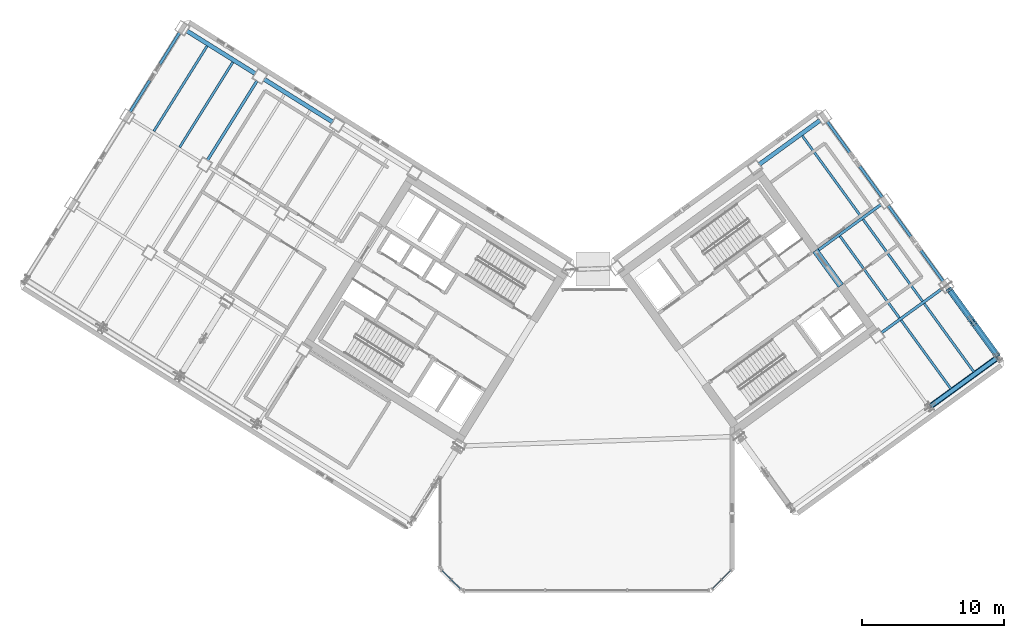
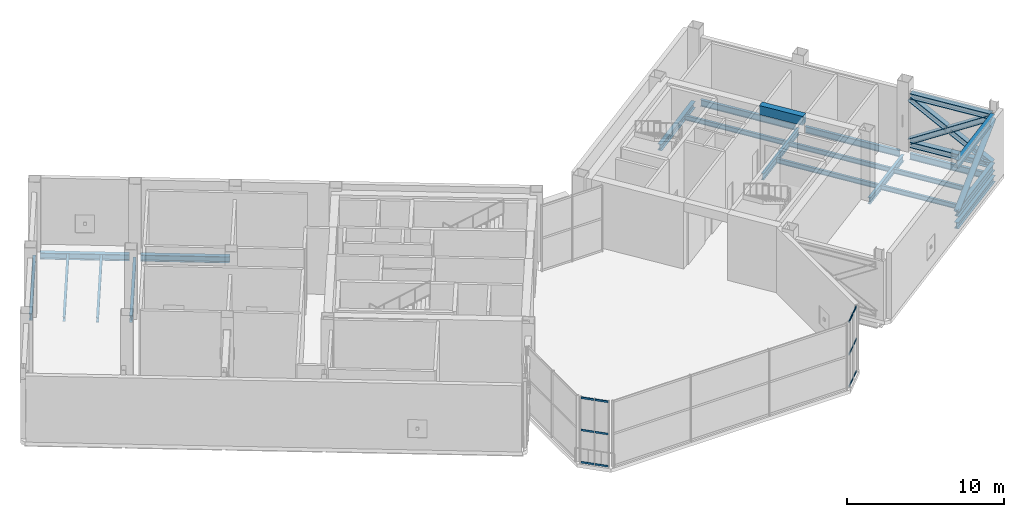
# One storey, part 13 of 30: 20 members, 19 beams, 2 elements without a shape of their own.
"""IFC4 building model written with IfcOpenShell, lengths in metres."""

from ifc_helpers import new_model, si_unit, direction, frame, origin, origin_2d, place, context, subcontext, project, spatial, rectangle, hollow_rectangle, hollow_circle, i_section, extrude, source, transform, mapped, material, material_profile, profile_set, type_object, element, aggregate, save


model = new_model("IFC4")

# Units and contexts
model_context = context("Model", 3, precision=1e-05, world=origin(), true_north=direction((0.0, 1.0)))
body_context = subcontext(model_context, "Body", "Model", "MODEL_VIEW")
ifc_project = project(units=[si_unit("LENGTHUNIT", "METRE"), si_unit("AREAUNIT", "SQUARE_METRE"), si_unit("VOLUMEUNIT", "CUBIC_METRE"), si_unit("PLANEANGLEUNIT", "RADIAN"), si_unit("MASSUNIT", "GRAM", prefix="KILO")], contexts=[model_context])

# Site, building, storey
site_placement = place(None, origin())
site = spatial("IfcSite", under=ifc_project, at=site_placement, CompositionType="ELEMENT")
building_placement = place(site_placement, origin())
building = spatial("IfcBuilding", under=site, at=building_placement, Name="Tlacorven Tower", CompositionType="ELEMENT")
storey_placement = place(building_placement, frame((0.0, 0.0, 169.5)))
storey = spatial("IfcBuildingStorey", under=building, at=storey_placement, Name="L43", CompositionType="ELEMENT", Elevation=169.5)

# Beams
ifc_material_1 = material(Name="Concrete C60/75", Category="concrete")
ifc_material_profile_1 = material_profile(ifc_material_1, rectangle(XDim=0.449951171875, YDim=0.699951171875, at=origin_2d()), Name="RC 450X700")
ifc_profile_set_1 = profile_set([ifc_material_profile_1], Name="Concrete C60/75")
beam_type_1 = type_object("IfcBeamType", Name="BM-LNT-700", PredefinedType="LINTEL", material=ifc_profile_set_1)
shared_shape_1 = source(origin(), body_context, "Body", "SweptSolid", [
    extrude(rectangle(XDim=0.449951171875, YDim=0.699951171875, at=origin_2d()), origin(), (0.0, 0.0, 1.0), 3.050048828125),
])
beam_1_placement = place(storey_placement, frame((59.856689453125, 23.345947265625, 4.800048828125), z_axis=(-0.587776590479, 0.80902328748, 0.0), x_axis=(-0.80902328748, -0.587776590479, 0.0)))
element("IfcBeam", 1, at=beam_1_placement, inside=storey, type_object=beam_type_1, Name="L43 E core coupling lintel beam E2", PredefinedType="LINTEL", context=body_context, shape_type="MappedRepresentation", body=[
    mapped(shared_shape_1, transform((0.0, 0.0, 0.0), scale=1.0)),
])
ifc_material_2 = material(Name="Steel S355J2", Category="steel")
ifc_material_profile_2 = material_profile(ifc_material_2, i_section(OverallWidth=0.300048828125, OverallDepth=0.489990234375, WebThickness=0.011962890625, FlangeThickness=0.02294921875, at=origin_2d()), Name="HEA 500")
ifc_profile_set_2 = profile_set([ifc_material_profile_2], Name="Steel S355J2")
beam_type_2 = type_object("IfcBeamType", Name="BM-SPN-500", PredefinedType="SPANDREL", material=ifc_profile_set_2)
shared_shape_2 = source(origin(), body_context, "Body", "SweptSolid", [
    extrude(i_section(OverallWidth=0.300048828125, OverallDepth=0.489990234375, WebThickness=0.011962890625, FlangeThickness=0.02294921875, at=origin_2d()), origin(), (0.0, 0.0, 1.0), 5.800048828125),
])
beam_2_placement = place(storey_placement, frame((66.138671875, 14.86962890625, -0.52490234375), z_axis=(0.809019944521, 0.587781191743, 0.0), x_axis=(-0.587781191743, 0.809019944521, 0.0)))
element("IfcBeam", 2, at=beam_2_placement, inside=storey, type_object=beam_type_2, Name="L43 beam BM-L43-EL1-3", PredefinedType="SPANDREL", context=body_context, shape_type="MappedRepresentation", body=[
    mapped(shared_shape_2, transform((0.0, 0.0, 0.0), scale=1.0)),
])

# Members
ifc_material_3 = material(Name="Steel S460M", Category="steel")
ifc_material_profile_3 = material_profile(ifc_material_3, i_section(OverallWidth=0.406005859375, OverallDepth=0.416015625, WebThickness=0.02099609375, FlangeThickness=0.032958984375, at=origin_2d()), Name="HD 400X382")
ifc_profile_set_3 = profile_set([ifc_material_profile_3], Name="Steel S460M")
member_type_1 = type_object("IfcMemberType", Name="MB-OUT-DIA", PredefinedType="BRACE", material=ifc_profile_set_3)
shared_shape_3 = source(origin(), body_context, "Body", "SweptSolid", [
    extrude(i_section(OverallWidth=0.406005859375, OverallDepth=0.416015625, WebThickness=0.02099609375, FlangeThickness=0.032958984375, at=origin_2d()), origin(), (0.0, 0.0, 1.0), 3.24560546875),
])
member_1_placement = place(storey_placement, frame((69.2001953125, 20.693603515625, 2.2255859375), z_axis=(0.501862263089, -0.690737584225, -0.520591834958), x_axis=(0.809010292828, 0.58779447607, 0.0)))
element("IfcMember", 3, at=member_1_placement, inside=storey, type_object=member_type_1, Name="L43 Outrigger Truss Split Diagonal E2-2B", PredefinedType="BRACE", context=body_context, shape_type="MappedRepresentation", body=[
    mapped(shared_shape_3, transform((0.0, 0.0, 0.0), scale=1.0)),
])
ifc_material_profile_4 = material_profile(ifc_material_3, i_section(OverallWidth=0.300048828125, OverallDepth=0.60009765625, WebThickness=0.015380859375, FlangeThickness=0.030029296875, at=origin_2d()), Name="HEB 600")
ifc_profile_set_4 = profile_set([ifc_material_profile_4], Name="Steel S460M")
member_type_2 = type_object("IfcMemberType", Name="MB-BLT-CHD", PredefinedType="CHORD", material=ifc_profile_set_4)
shared_shape_4 = source(origin(), body_context, "Body", "SweptSolid", [
    extrude(i_section(OverallWidth=0.300048828125, OverallDepth=0.60009765625, WebThickness=0.015380859375, FlangeThickness=0.030029296875, at=origin_2d()), origin(), (0.0, 0.0, 1.0), 5.669921875),
])
for number, where, z_axis, x_axis, name in (
    (4, (66.19140625, 14.907958984375, 0.449951171875), (0.809017149141, 0.587785039275, 0.0), (-0.587785039275, 0.809017149141, 0.0), "L43 Belt Truss Chord E1-B"),
    (5, (66.19140625, 14.907958984375, 4.22998046875), (0.809017149141, 0.587785039275, 0.0), (-0.587785039275, 0.809017149141, 0.0), "L43 Belt Truss Chord E1-T"),
):
    element("IfcMember", number, at=place(storey_placement, frame(where, z_axis=z_axis, x_axis=x_axis)), inside=storey, type_object=member_type_2, Name=name, PredefinedType="CHORD", context=body_context, shape_type="MappedRepresentation", body=[
        mapped(shared_shape_4, transform((0.0, 0.0, 0.0), scale=1.0)),
    ])
ifc_material_profile_5 = material_profile(ifc_material_3, hollow_circle(Radius=0.203125, WallThickness=0.02001953125, at=origin_2d()), Name="CHS 406.4X20")
ifc_profile_set_5 = profile_set([ifc_material_profile_5], Name="Steel S460M")
member_type_3 = type_object("IfcMemberType", Name="MB-BLT-DIA", PredefinedType="BRACE", material=ifc_profile_set_5)
shared_shape_5 = source(origin(), body_context, "Body", "SweptSolid", [
    extrude(hollow_circle(Radius=0.203125, WallThickness=0.02001953125, at=origin_2d()), origin(), (0.0, 0.0, 1.0), 6.721435546875),
])
member_2_placement = place(storey_placement, frame((66.1845703125, 14.90283203125, 0.548583984375), z_axis=(0.684499051971, 0.497328788516, 0.533033886319), x_axis=(-0.587793851887, 0.809010746334, 0.0)))
element("IfcMember", 6, at=member_2_placement, inside=storey, type_object=member_type_3, Name="L43 Belt Truss Diagonal E1-1", PredefinedType="BRACE", context=body_context, shape_type="MappedRepresentation", body=[
    mapped(shared_shape_5, transform((0.0, 0.0, 0.0), scale=1.0)),
])

# Beams
shared_shape_6 = source(origin(), body_context, "Body", "SweptSolid", [
    extrude(i_section(OverallWidth=0.300048828125, OverallDepth=0.489990234375, WebThickness=0.011962890625, FlangeThickness=0.02294921875, at=origin_2d()), origin(), (0.0, 0.0, 1.0), 5.7001953125),
])
for number, where, z_axis, x_axis, name in (
    (7, (24.20361328125, 34.828369140625, -0.52490234375), (-0.848056048787, 0.529906537151, 0.0), (-0.529906537151, -0.848056048787, 0.0), "L43 beam BM-L43-WL1-4"),
    (8, (18.776123046875, 38.2197265625, -0.52490234375), (-0.848056048787, 0.529906537151, 0.0), (-0.529906537151, -0.848056048787, 0.0), "L43 beam BM-L43-WL1-5"),
):
    element("IfcBeam", number, at=place(storey_placement, frame(where, z_axis=z_axis, x_axis=x_axis)), inside=storey, type_object=beam_type_2, Name=name, PredefinedType="SPANDREL", context=body_context, shape_type="MappedRepresentation", body=[
        mapped(shared_shape_6, transform((0.0, 0.0, 0.0), scale=1.0)),
    ])
ifc_material_profile_6 = material_profile(ifc_material_2, i_section(OverallWidth=0.199951171875, OverallDepth=0.5, WebThickness=0.01025390625, FlangeThickness=0.01611328125, at=origin_2d()), Name="IPE 500")
ifc_profile_set_6 = profile_set([ifc_material_profile_6], Name="Steel S355J2")
beam_type_3 = type_object("IfcBeamType", Name="BM-TWR-500", PredefinedType="BEAM", material=ifc_profile_set_6)
shared_shape_7 = source(origin(), body_context, "Body", "SweptSolid", [
    extrude(i_section(OverallWidth=0.199951171875, OverallDepth=0.5, WebThickness=0.01025390625, FlangeThickness=0.01611328125, at=origin_2d()), origin(), (0.0, 0.0, 1.0), 5.75),
])
beam_3_placement = place(storey_placement, frame((70.853271484375, 18.41845703125, -0.530029296875), z_axis=(-0.587797998499, 0.80900773356, 0.0), x_axis=(-0.80900773356, -0.587797998499, 0.0)))
element("IfcBeam", 9, at=beam_3_placement, inside=storey, type_object=beam_type_3, Name="L43 beam BM-L43-ET4-1", PredefinedType="BEAM", context=body_context, shape_type="MappedRepresentation", body=[
    mapped(shared_shape_7, transform((0.0, 0.0, 0.0), scale=1.0)),
])
shared_shape_8 = source(origin(), body_context, "Body", "SweptSolid", [
    extrude(i_section(OverallWidth=0.199951171875, OverallDepth=0.5, WebThickness=0.01025390625, FlangeThickness=0.01611328125, at=origin_2d()), origin(), (0.0, 0.0, 1.0), 6.599853515625),
])
beam_4_placement = place(storey_placement, frame((13.4599609375, 41.12890625, -0.530029296875), z_axis=(-0.529942412256, -0.848033631227, 0.0), x_axis=(0.848033631227, -0.529942412256, 0.0)))
element("IfcBeam", 10, at=beam_4_placement, inside=storey, type_object=beam_type_3, Name="L43 beam BM-L43-WT6-1", PredefinedType="BEAM", context=body_context, shape_type="MappedRepresentation", body=[
    mapped(shared_shape_8, transform((0.0, 0.0, 0.0), scale=1.0)),
])
shared_shape_9 = source(origin(), body_context, "Body", "SweptSolid", [
    extrude(i_section(OverallWidth=0.199951171875, OverallDepth=0.5, WebThickness=0.01025390625, FlangeThickness=0.01611328125, at=origin_2d()), origin(), (0.0, 0.0, 1.0), 6.60009765625),
])
for number, where, z_axis, x_axis, name in (
    (11, (18.887451171875, 37.737548828125, -0.530029296875), (-0.529925788294, -0.848044019436, 0.0), (0.848044019436, -0.529925788294, 0.0), "L43 beam BM-L43-WT5-1"),
    (12, (67.06201171875, 23.63671875, -0.530029296875), (-0.587780128583, 0.809020716943, 0.0), (-0.809020716943, -0.587780128583, 0.0), "L43 beam BM-L43-ET4-2"),
    (13, (62.771240234375, 29.54248046875, -0.530029296875), (-0.587780128583, 0.809020716943, 0.0), (-0.809020716943, -0.587780128583, 0.0), "L43 beam BM-L43-ET4-3"),
):
    element("IfcBeam", number, at=place(storey_placement, frame(where, z_axis=z_axis, x_axis=x_axis)), inside=storey, type_object=beam_type_3, Name=name, PredefinedType="BEAM", context=body_context, shape_type="MappedRepresentation", body=[
        mapped(shared_shape_9, transform((0.0, 0.0, 0.0), scale=1.0)),
    ])
ifc_material_profile_7 = material_profile(ifc_material_2, i_section(OverallWidth=0.169921875, OverallDepth=0.360107421875, WebThickness=0.008056640625, FlangeThickness=0.0126953125, at=origin_2d()), Name="IPE 360")
ifc_profile_set_7 = profile_set([ifc_material_profile_7], Name="Steel S355J2")
beam_type_4 = type_object("IfcBeamType", Name="BM-JST-360", PredefinedType="JOIST", material=ifc_profile_set_7)
shared_shape_10 = source(origin(), body_context, "Body", "SweptSolid", [
    extrude(i_section(OverallWidth=0.169921875, OverallDepth=0.360107421875, WebThickness=0.008056640625, FlangeThickness=0.0126953125, at=origin_2d()), origin(), (0.0, 0.0, 1.0), 7.0400390625),
])
beam_5_placement = place(storey_placement, frame((61.297119140625, 28.168701171875, -0.4599609375), z_axis=(-0.587773661987, 0.809025415098, 0.0), x_axis=(-0.809025415098, -0.587773661987, 0.0)))
element("IfcBeam", 14, at=beam_5_placement, inside=storey, type_object=beam_type_4, Name="L43 beam BM-L43-EJ3-3-2", PredefinedType="JOIST", context=body_context, shape_type="MappedRepresentation", body=[
    mapped(shared_shape_10, transform((0.0, 0.0, 0.0), scale=1.0)),
])
shared_shape_11 = source(origin(), body_context, "Body", "SweptSolid", [
    extrude(i_section(OverallWidth=0.169921875, OverallDepth=0.360107421875, WebThickness=0.008056640625, FlangeThickness=0.0126953125, at=origin_2d()), origin(), (0.0, 0.0, 1.0), 5.940185546875),
])
for number, where, z_axis, x_axis, name in (
    (15, (67.584716796875, 16.11181640625, -0.4599609375), (-0.587778174144, 0.809022136903, 0.0), (-0.809022136903, -0.587778174144, 0.0), "L43 beam BM-L43-EJ3-1-1"),
    (16, (69.202880859375, 17.287353515625, -0.4599609375), (-0.587778174144, 0.809022136903, 0.0), (-0.809022136903, -0.587778174144, 0.0), "L43 beam BM-L43-EJ3-1-2"),
):
    element("IfcBeam", number, at=place(storey_placement, frame(where, z_axis=z_axis, x_axis=x_axis)), inside=storey, type_object=beam_type_4, Name=name, PredefinedType="JOIST", context=body_context, shape_type="MappedRepresentation", body=[
        mapped(shared_shape_11, transform((0.0, 0.0, 0.0), scale=1.0)),
    ])
shared_shape_12 = source(origin(), body_context, "Body", "SweptSolid", [
    extrude(i_section(OverallWidth=0.169921875, OverallDepth=0.360107421875, WebThickness=0.008056640625, FlangeThickness=0.0126953125, at=origin_2d()), origin(), (0.0, 0.0, 1.0), 7.090087890625),
])
beam_6_placement = place(storey_placement, frame((63.969970703125, 21.08740234375, -0.4599609375), z_axis=(-0.587798996789, 0.809007008235, 0.0), x_axis=(-0.809007008235, -0.587798996789, 0.0)))
element("IfcBeam", 17, at=beam_6_placement, inside=storey, type_object=beam_type_4, Name="L43 beam BM-L43-EJ3-2-1", PredefinedType="JOIST", context=body_context, shape_type="MappedRepresentation", body=[
    mapped(shared_shape_12, transform((0.0, 0.0, 0.0), scale=1.0)),
])
shared_shape_13 = source(origin(), body_context, "Body", "SweptSolid", [
    extrude(i_section(OverallWidth=0.169921875, OverallDepth=0.360107421875, WebThickness=0.008056640625, FlangeThickness=0.0126953125, at=origin_2d()), origin(), (0.0, 0.0, 1.0), 7.08984375),
])
beam_7_placement = place(storey_placement, frame((65.587890625, 22.262939453125, -0.4599609375), z_axis=(-0.587776458909, 0.809023383069, 0.0), x_axis=(-0.809023383069, -0.587776458909, 0.0)))
element("IfcBeam", 18, at=beam_7_placement, inside=storey, type_object=beam_type_4, Name="L43 beam BM-L43-EJ3-2-2", PredefinedType="JOIST", context=body_context, shape_type="MappedRepresentation", body=[
    mapped(shared_shape_13, transform((0.0, 0.0, 0.0), scale=1.0)),
])
shared_shape_14 = source(origin(), body_context, "Body", "SweptSolid", [
    extrude(i_section(OverallWidth=0.169921875, OverallDepth=0.360107421875, WebThickness=0.008056640625, FlangeThickness=0.0126953125, at=origin_2d()), origin(), (0.0, 0.0, 1.0), 7.040283203125),
])
beam_8_placement = place(storey_placement, frame((17.181640625, 39.033447265625, -0.4599609375), z_axis=(-0.529914775015, -0.848050901315, 0.0), x_axis=(0.848050901315, -0.529914775015, 0.0)))
element("IfcBeam", 19, at=beam_8_placement, inside=storey, type_object=beam_type_4, Name="L43 beam BM-L43-WJ5-1-1", PredefinedType="JOIST", context=body_context, shape_type="MappedRepresentation", body=[
    mapped(shared_shape_14, transform((0.0, 0.0, 0.0), scale=1.0)),
])
shared_shape_15 = source(origin(), body_context, "Body", "SweptSolid", [
    extrude(i_section(OverallWidth=0.169921875, OverallDepth=0.360107421875, WebThickness=0.008056640625, FlangeThickness=0.0126953125, at=origin_2d()), origin(), (0.0, 0.0, 1.0), 7.039794921875),
])
beam_9_placement = place(storey_placement, frame((15.372314453125, 40.163818359375, -0.4599609375), z_axis=(-0.529905418558, -0.848056747737, 0.0), x_axis=(0.848056747737, -0.529905418558, 0.0)))
element("IfcBeam", 20, at=beam_9_placement, inside=storey, type_object=beam_type_4, Name="L43 beam BM-L43-WJ5-1-2", PredefinedType="JOIST", context=body_context, shape_type="MappedRepresentation", body=[
    mapped(shared_shape_15, transform((0.0, 0.0, 0.0), scale=1.0)),
])
shared_shape_16 = source(origin(), body_context, "Body", "SweptSolid", [
    extrude(i_section(OverallWidth=0.199951171875, OverallDepth=0.5, WebThickness=0.01025390625, FlangeThickness=0.01611328125, at=origin_2d()), origin(), (0.0, 0.0, 1.0), 5.300048828125),
])
beam_10_placement = place(storey_placement, frame((62.69677734375, 20.032470703125, -0.530029296875), z_axis=(0.809022830186, 0.587777219904, 0.0), x_axis=(-0.587777219904, 0.809022830186, 0.0)))
element("IfcBeam", 21, at=beam_10_placement, inside=storey, type_object=beam_type_3, Name="L43 beam BM-L43-EL2-3", PredefinedType="BEAM", context=body_context, shape_type="MappedRepresentation", body=[
    mapped(shared_shape_16, transform((0.0, 0.0, 0.0), scale=1.0)),
])
shared_shape_17 = source(origin(), body_context, "Body", "SweptSolid", [
    extrude(i_section(OverallWidth=0.199951171875, OverallDepth=0.5, WebThickness=0.01025390625, FlangeThickness=0.01611328125, at=origin_2d()), origin(), (0.0, 0.0, 1.0), 5.6103515625),
])
beam_11_placement = place(storey_placement, frame((58.155029296875, 25.756103515625, -0.530029296875), z_axis=(0.809020142627, 0.587780919071, 0.0), x_axis=(-0.587780919071, 0.809020142627, 0.0)))
element("IfcBeam", 22, at=beam_11_placement, inside=storey, type_object=beam_type_3, Name="L43 beam BM-L43-EL3-3", PredefinedType="BEAM", context=body_context, shape_type="MappedRepresentation", body=[
    mapped(shared_shape_17, transform((0.0, 0.0, 0.0), scale=1.0)),
])
shared_shape_18 = source(origin(), body_context, "Body", "SweptSolid", [
    extrude(i_section(OverallWidth=0.300048828125, OverallDepth=0.489990234375, WebThickness=0.011962890625, FlangeThickness=0.02294921875, at=origin_2d()), origin(), (0.0, 0.0, 1.0), 5.300048828125),
])
beam_12_placement = place(storey_placement, frame((54.114990234375, 31.84423828125, -0.52490234375), z_axis=(0.809022830186, 0.587777219904, 0.0), x_axis=(-0.587777219904, 0.809022830186, 0.0)))
element("IfcBeam", 23, at=beam_12_placement, inside=storey, type_object=beam_type_2, Name="L43 beam BM-L43-EL4-3", PredefinedType="SPANDREL", context=body_context, shape_type="MappedRepresentation", body=[
    mapped(shared_shape_18, transform((0.0, 0.0, 0.0), scale=1.0)),
])

# Members
shared_shape_19 = source(origin(), body_context, "Body", "SweptSolid", [
    extrude(i_section(OverallWidth=0.406005859375, OverallDepth=0.416015625, WebThickness=0.02099609375, FlangeThickness=0.032958984375, at=origin_2d()), origin(), (0.0, 0.0, 1.0), 2.99560546875),
])
member_3_placement = place(storey_placement, frame((67.47607421875, 23.06689453125, 4.013916015625), z_axis=(0.501867141995, -0.690780431235, -0.520530275401), x_axis=(0.80902491314, 0.587774352893, 0.0)))
element("IfcMember", 24, at=member_3_placement, inside=storey, type_object=member_type_1, Name="L43 Outrigger Truss Split Diagonal E2-2A", PredefinedType="BRACE", context=body_context, shape_type="MappedRepresentation", body=[
    mapped(shared_shape_19, transform((0.0, 0.0, 0.0), scale=1.0)),
])
ifc_material_profile_8 = material_profile(ifc_material_3, i_section(OverallWidth=0.412109375, OverallDepth=0.43505859375, WebThickness=0.02490234375, FlangeThickness=0.0400390625, at=origin_2d()), Name="HD 400X463")
ifc_profile_set_8 = profile_set([ifc_material_profile_8], Name="Steel S460M")
member_type_4 = type_object("IfcMemberType", Name="MB-OUT-CHD", PredefinedType="CHORD", material=ifc_profile_set_8)
shared_shape_20 = source(origin(), body_context, "Body", "SweptSolid", [
    extrude(i_section(OverallWidth=0.412109375, OverallDepth=0.43505859375, WebThickness=0.02490234375, FlangeThickness=0.0400390625, at=origin_2d()), origin(), (0.0, 0.0, 1.0), 5.619873046875),
])
for number, where, z_axis, x_axis, name in (
    (25, (67.51171875, 23.017822265625, 0.449951171875), (0.587773836279, -0.809025288471, 0.0), (0.809025288471, 0.587773836279, 0.0), "L43 Outrigger Truss Chord E2-B"),
    (26, (67.51171875, 23.017822265625, 4.22998046875), (0.587773836279, -0.809025288471, 0.0), (0.809025288471, 0.587773836279, 0.0), "L43 Outrigger Truss Chord E2-T"),
):
    element("IfcMember", number, at=place(storey_placement, frame(where, z_axis=z_axis, x_axis=x_axis)), inside=storey, type_object=member_type_4, Name=name, PredefinedType="CHORD", context=body_context, shape_type="MappedRepresentation", body=[
        mapped(shared_shape_20, transform((0.0, 0.0, 0.0), scale=1.0)),
    ])
shared_shape_21 = source(origin(), body_context, "Body", "SweptSolid", [
    extrude(i_section(OverallWidth=0.406005859375, OverallDepth=0.416015625, WebThickness=0.02099609375, FlangeThickness=0.032958984375, at=origin_2d()), origin(), (0.0, 0.0, 1.0), 6.681396484375),
])
member_4_placement = place(storey_placement, frame((67.47607421875, 23.06689453125, 0.666015625), z_axis=(0.501852056226, -0.690768259131, 0.520560972259), x_axis=(0.80902838977, 0.587769567557, 0.0)))
element("IfcMember", 27, at=member_4_placement, inside=storey, type_object=member_type_1, Name="L43 Outrigger Truss Diagonal E2-1", PredefinedType="BRACE", context=body_context, shape_type="MappedRepresentation", body=[
    mapped(shared_shape_21, transform((0.0, 0.0, 0.0), scale=1.0)),
])

# Curtain wall, members
ifc_material_4 = material(Name="Dark solar low-E double glazing in aluminium frame", Category="aluminium")
curtain_wall_type = type_object("IfcCurtainWallType", Name="CW-TWR-MID", PredefinedType="USERDEFINED", material=ifc_material_4)
curtain_wall_1_placement = place(storey_placement, origin())
curtain_wall_1 = element("IfcCurtainWall", 28, at=curtain_wall_1_placement, inside=storey, type_object=curtain_wall_type, Name="L43 CW-TWR-MID Curtain Wall 196", ObjectType="UNITISED CURTAIN WALL", PredefinedType="USERDEFINED")
ifc_material_5 = material(Name="Aluminium 6063-T6 anodised", Category="aluminium")
ifc_material_profile_9 = material_profile(ifc_material_5, hollow_rectangle(XDim=0.06005859375, YDim=0.139892578125, WallThickness=0.00390625, at=origin_2d()), Name="ALU TRANSOM 60X140")
ifc_profile_set_9 = profile_set([ifc_material_profile_9], Name="Aluminium 6063-T6 anodised")
member_type_5 = type_object("IfcMemberType", Name="CWT-02", PredefinedType="USERDEFINED", material=ifc_profile_set_9)
shared_shape_22 = source(origin(), body_context, "Body", "SweptSolid", [
    extrude(hollow_rectangle(XDim=0.06005859375, YDim=0.139892578125, WallThickness=0.00390625, at=origin_2d()), origin(), (0.0, 0.0, 1.0), 0.8916015625),
])
member_5_placement = place(storey_placement, frame((52.1318359375, 3.358154296875, 0.070068359375), z_axis=(-0.706969864397, -0.70724367147, 0.0), x_axis=(0.70724367147, -0.706969864397, 0.0)))
member_5 = element("IfcMember", 29, at=member_5_placement, type_object=member_type_5, Name="CW-L43-196 Transom 1", ObjectType="TRANSOM", PredefinedType="USERDEFINED", context=body_context, shape_type="MappedRepresentation", body=[
    mapped(shared_shape_22, transform((0.0, 0.0, 0.0), scale=1.0)),
])
member_6_placement = place(storey_placement, frame((52.1318359375, 3.358154296875, 2.574951171875), z_axis=(-0.706969864397, -0.70724367147, 0.0), x_axis=(0.70724367147, -0.706969864397, 0.0)))
member_6 = element("IfcMember", 30, at=member_6_placement, type_object=member_type_5, Name="CW-L43-196 Transom 2", ObjectType="TRANSOM", PredefinedType="USERDEFINED", context=body_context, shape_type="MappedRepresentation", body=[
    mapped(shared_shape_22, transform((0.0, 0.0, 0.0), scale=1.0)),
])
member_7_placement = place(storey_placement, frame((52.1318359375, 3.358154296875, 5.080078125), z_axis=(-0.706969864397, -0.70724367147, 0.0), x_axis=(0.70724367147, -0.706969864397, 0.0)))
member_7 = element("IfcMember", 31, at=member_7_placement, type_object=member_type_5, Name="CW-L43-196 Transom 3", ObjectType="TRANSOM", PredefinedType="USERDEFINED", context=body_context, shape_type="MappedRepresentation", body=[
    mapped(shared_shape_22, transform((0.0, 0.0, 0.0), scale=1.0)),
])

curtain_wall_2_placement = place(storey_placement, origin())
curtain_wall_2 = element("IfcCurtainWall", 32, at=curtain_wall_2_placement, inside=storey, type_object=curtain_wall_type, Name="L43 CW-TWR-MID Curtain Wall 198", ObjectType="UNITISED CURTAIN WALL", PredefinedType="USERDEFINED")
member_8_placement = place(storey_placement, frame((32.49853515625, 2.7275390625, 0.070068359375), z_axis=(-0.706969864397, 0.70724367147, 0.0), x_axis=(-0.70724367147, -0.706969864397, 0.0)))
member_8 = element("IfcMember", 33, at=member_8_placement, type_object=member_type_5, Name="CW-L43-198 Transom 4", ObjectType="TRANSOM", PredefinedType="USERDEFINED", context=body_context, shape_type="MappedRepresentation", body=[
    mapped(shared_shape_22, transform((0.0, 0.0, 0.0), scale=1.0)),
])
member_9_placement = place(storey_placement, frame((32.49853515625, 2.7275390625, 2.574951171875), z_axis=(-0.706969864397, 0.70724367147, 0.0), x_axis=(-0.70724367147, -0.706969864397, 0.0)))
member_9 = element("IfcMember", 34, at=member_9_placement, type_object=member_type_5, Name="CW-L43-198 Transom 5", ObjectType="TRANSOM", PredefinedType="USERDEFINED", context=body_context, shape_type="MappedRepresentation", body=[
    mapped(shared_shape_22, transform((0.0, 0.0, 0.0), scale=1.0)),
])
member_10_placement = place(storey_placement, frame((32.49853515625, 2.7275390625, 5.080078125), z_axis=(-0.706969864397, 0.70724367147, 0.0), x_axis=(-0.70724367147, -0.706969864397, 0.0)))
member_10 = element("IfcMember", 35, at=member_10_placement, type_object=member_type_5, Name="CW-L43-198 Transom 6", ObjectType="TRANSOM", PredefinedType="USERDEFINED", context=body_context, shape_type="MappedRepresentation", body=[
    mapped(shared_shape_22, transform((0.0, 0.0, 0.0), scale=1.0)),
])

# Member
shared_shape_23 = source(origin(), body_context, "Body", "SweptSolid", [
    extrude(hollow_rectangle(XDim=0.06005859375, YDim=0.139892578125, WallThickness=0.00390625, at=origin_2d()), origin(), (0.0, 0.0, 1.0), 0.891845703125),
])
member_11_placement = place(storey_placement, frame((51.472412109375, 2.69873046875, 0.070068359375), z_axis=(-0.707106781187, -0.707106781187, 0.0), x_axis=(0.707106781187, -0.707106781187, 0.0)))
member_11 = element("IfcMember", 36, at=member_11_placement, type_object=member_type_5, Name="CW-L43-196 Transom 4", ObjectType="TRANSOM", PredefinedType="USERDEFINED", context=body_context, shape_type="MappedRepresentation", body=[
    mapped(shared_shape_23, transform((0.0, 0.0, 0.0), scale=1.0)),
])

member_12_placement = place(storey_placement, frame((51.472412109375, 2.69873046875, 2.574951171875), z_axis=(-0.707106781187, -0.707106781187, 0.0), x_axis=(0.707106781187, -0.707106781187, 0.0)))
member_12 = element("IfcMember", 37, at=member_12_placement, type_object=member_type_5, Name="CW-L43-196 Transom 5", ObjectType="TRANSOM", PredefinedType="USERDEFINED", context=body_context, shape_type="MappedRepresentation", body=[
    mapped(shared_shape_23, transform((0.0, 0.0, 0.0), scale=1.0)),
])

member_13_placement = place(storey_placement, frame((51.472412109375, 2.69873046875, 5.080078125), z_axis=(-0.707106781187, -0.707106781187, 0.0), x_axis=(0.707106781187, -0.707106781187, 0.0)))
member_13 = element("IfcMember", 38, at=member_13_placement, type_object=member_type_5, Name="CW-L43-196 Transom 6", ObjectType="TRANSOM", PredefinedType="USERDEFINED", context=body_context, shape_type="MappedRepresentation", body=[
    mapped(shared_shape_23, transform((0.0, 0.0, 0.0), scale=1.0)),
])

aggregate(curtain_wall_1, [member_5, member_6, member_7, member_11, member_12, member_13])

member_14_placement = place(storey_placement, frame((33.158203125, 2.068115234375, 0.070068359375), z_axis=(-0.707106781187, 0.707106781187, 0.0), x_axis=(-0.707106781187, -0.707106781187, 0.0)))
member_14 = element("IfcMember", 39, at=member_14_placement, type_object=member_type_5, Name="CW-L43-198 Transom 1", ObjectType="TRANSOM", PredefinedType="USERDEFINED", context=body_context, shape_type="MappedRepresentation", body=[
    mapped(shared_shape_23, transform((0.0, 0.0, 0.0), scale=1.0)),
])

member_15_placement = place(storey_placement, frame((33.158203125, 2.068115234375, 2.574951171875), z_axis=(-0.707106781187, 0.707106781187, 0.0), x_axis=(-0.707106781187, -0.707106781187, 0.0)))
member_15 = element("IfcMember", 40, at=member_15_placement, type_object=member_type_5, Name="CW-L43-198 Transom 2", ObjectType="TRANSOM", PredefinedType="USERDEFINED", context=body_context, shape_type="MappedRepresentation", body=[
    mapped(shared_shape_23, transform((0.0, 0.0, 0.0), scale=1.0)),
])

member_16_placement = place(storey_placement, frame((33.158203125, 2.068115234375, 5.080078125), z_axis=(-0.707106781187, 0.707106781187, 0.0), x_axis=(-0.707106781187, -0.707106781187, 0.0)))
member_16 = element("IfcMember", 41, at=member_16_placement, type_object=member_type_5, Name="CW-L43-198 Transom 3", ObjectType="TRANSOM", PredefinedType="USERDEFINED", context=body_context, shape_type="MappedRepresentation", body=[
    mapped(shared_shape_23, transform((0.0, 0.0, 0.0), scale=1.0)),
])

aggregate(curtain_wall_2, [member_14, member_15, member_16, member_8, member_9, member_10])

save(model, "model.ifc")
